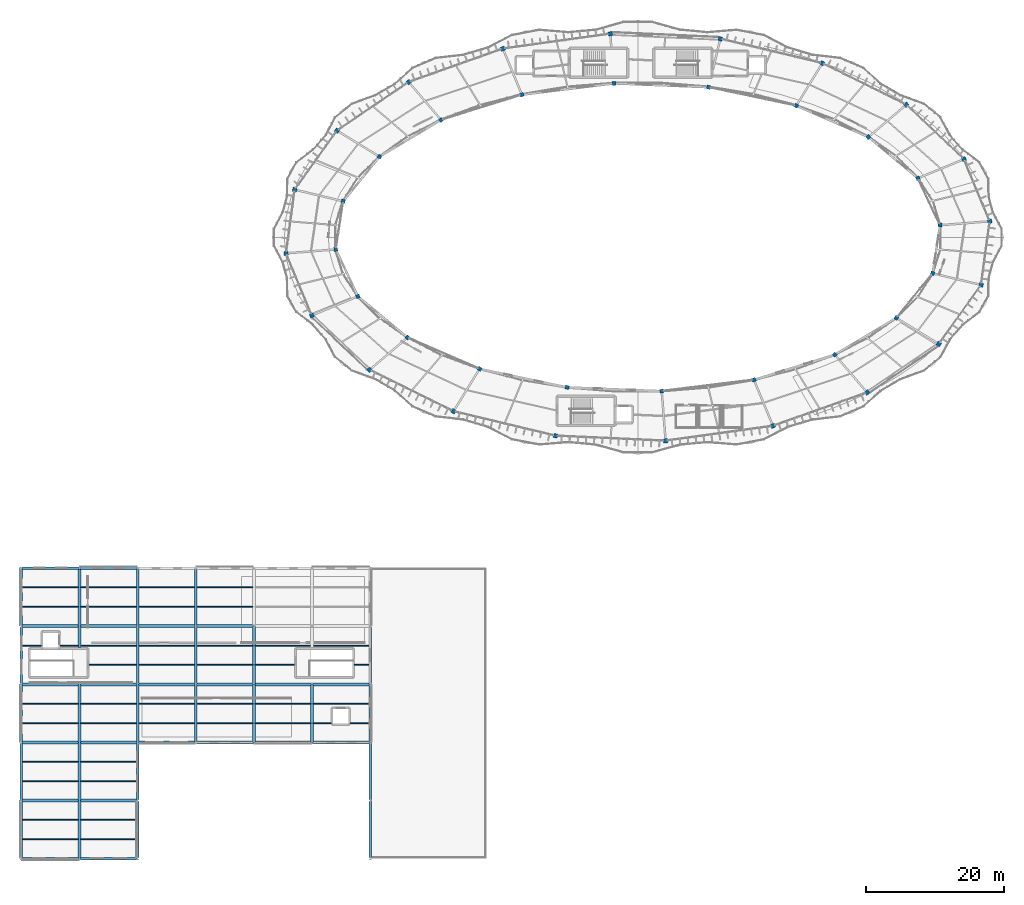
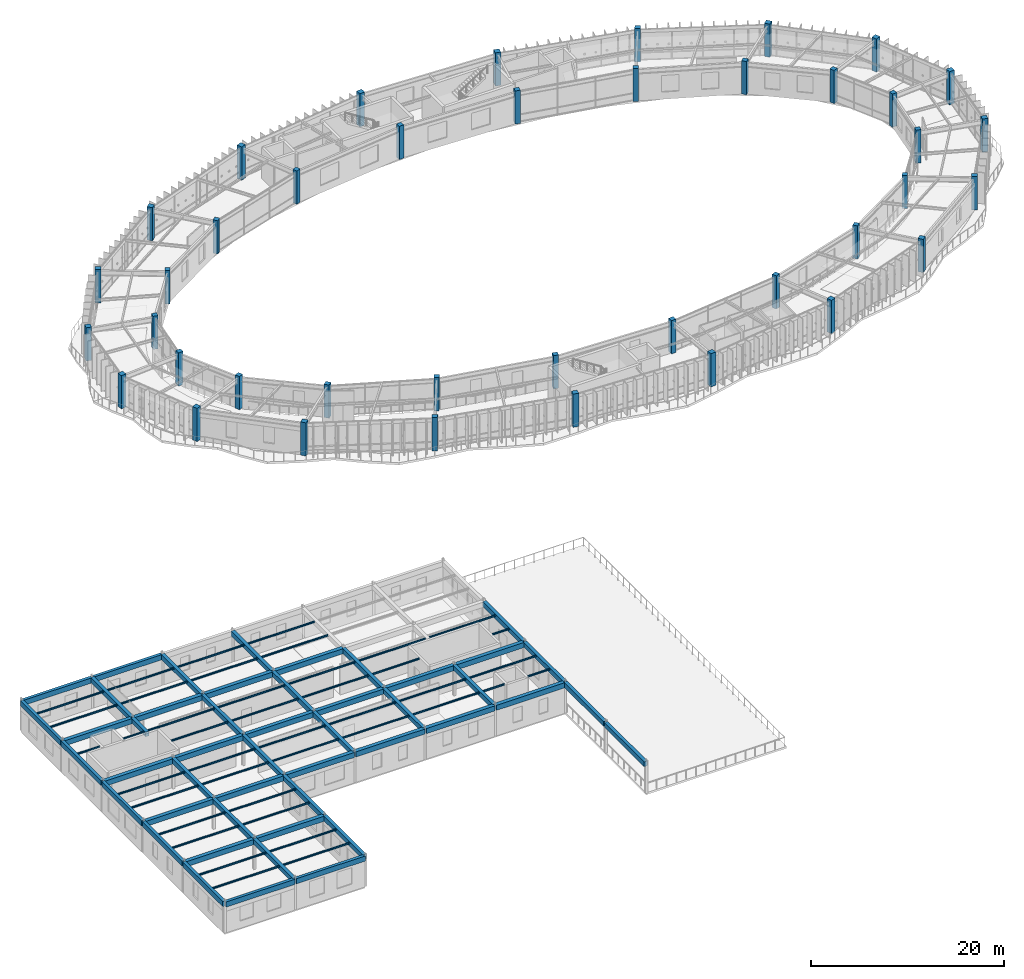
# One storey, part 5 of 83: 88 beams, 40 columns.
"""IFC4 building model written with IfcOpenShell, lengths in metres."""

from ifc_helpers import new_model, si_unit, direction, frame, origin, origin_2d, place, context, subcontext, project, spatial, rectangle, i_section, extrude, material, material_profile, profile_set, type_object, element, save


model = new_model("IFC4")

# Units and contexts
model_context = context("Model", 3, precision=1e-05, world=origin(), true_north=direction((0.0, 1.0)))
body_context = subcontext(model_context, "Body", "Model", "MODEL_VIEW")
ifc_project = project(units=[si_unit("LENGTHUNIT", "METRE"), si_unit("AREAUNIT", "SQUARE_METRE"), si_unit("VOLUMEUNIT", "CUBIC_METRE"), si_unit("PLANEANGLEUNIT", "RADIAN"), si_unit("MASSUNIT", "GRAM", prefix="KILO"), si_unit("THERMODYNAMICTEMPERATUREUNIT", "KELVIN"), si_unit("POWERUNIT", "WATT")], contexts=[model_context])

# Site, building, storey
site_placement = place(None, origin())
site = spatial("IfcSite", under=ifc_project, at=site_placement, CompositionType="ELEMENT")
building_placement = place(site_placement, origin())
building = spatial("IfcBuilding", under=site, at=building_placement, Name="Darbajah Civic Hall", CompositionType="ELEMENT")
storey_placement = place(building_placement, frame((0.0, 0.0, 18.0)))
storey = spatial("IfcBuildingStorey", under=building, at=storey_placement, Name="L04", CompositionType="ELEMENT", Elevation=18.0)

# Columns
ifc_material_1 = material(Name="Concrete C45/55", Category="concrete")
ifc_material_profile_1 = material_profile(ifc_material_1, rectangle(XDim=0.550048828125, YDim=0.550048828125, at=origin_2d()), Name="RC COL 550x550")
ifc_profile_set_1 = profile_set([ifc_material_profile_1], Name="Concrete C45/55")
column_type_1 = type_object("IfcColumnType", Name="RC COL 550x550", PredefinedType="COLUMN", material=ifc_profile_set_1)
for number, where, z_axis, x_axis, name in (
    (1, (132.764892578125, 91.549560546875, 0.0), (0.0, 0.0, 1.0), (0.996917333733, 0.078459095728, 0.0), "L04 column C-RC550"),
    (2, (129.56591796875, 98.333740234375, 0.0), (0.0, 0.0, 1.0), (0.923879532511, 0.382683432365, 0.0), "L04 column C-RC550"),
    (3, (122.40576171875, 104.28271484375, 0.0), (0.0, 0.0, 1.0), (0.7604059656, 0.64944804833, 0.0), "L04 column C-RC550"),
    (4, (111.9853515625, 108.81396484375, 0.0), (0.0, 0.0, 1.0), (0.522498564716, 0.852640164354, 0.0), "L04 column C-RC550"),
    (5, (99.324951171875, 111.48388671875, 0.0), (0.0, 0.0, 1.0), (0.233445363856, 0.972369920398, 0.0), "L04 column C-RC550"),
    (6, (85.66357421875, 112.03125, 0.0), (0.0, 0.0, 1.0), (-0.078459095728, 0.996917333733, 0.0), "L04 column C-RC550"),
    (7, (72.33837890625, 110.402587890625, 0.0), (0.0, 0.0, 1.0), (-0.382683432365, 0.923879532511, 0.0), "L04 column C-RC550"),
    (8, (60.654296875, 106.757080078125, 0.0), (0.0, 0.0, 1.0), (-0.64944804833, 0.7604059656, 0.0), "L04 column C-RC550"),
    (9, (51.75439453125, 101.45166015625, 0.0), (0.0, 0.0, 1.0), (-0.852640164354, 0.522498564716, 0.0), "L04 column C-RC550"),
    (10, (46.51025390625, 95.005859375, 0.0), (0.0, 0.0, 1.0), (-0.972369920398, 0.233445363856, 0.0), "L04 column C-RC550"),
    (11, (45.43505859375, 88.05029296875, 0.0), (0.0, 0.0, 1.0), (-0.996917333733, -0.078459095728, 0.0), "L04 column C-RC550"),
    (12, (48.634033203125, 81.26611328125, 0.0), (0.0, 0.0, 1.0), (-0.923879532511, -0.382683432365, 0.0), "L04 column C-RC550"),
    (13, (55.794189453125, 75.3173828125, 0.0), (0.0, 0.0, 1.0), (-0.7604059656, -0.64944804833, 0.0), "L04 column C-RC550"),
    (14, (66.214599609375, 70.7861328125, 0.0), (0.0, 0.0, 1.0), (-0.522498564716, -0.852640164354, 0.0), "L04 column C-RC550"),
    (15, (78.875, 68.1162109375, 0.0), (0.0, 0.0, 1.0), (-0.233445363856, -0.972369920398, 0.0), "L04 column C-RC550"),
    (16, (92.53662109375, 67.568603515625, 0.0), (0.0, 0.0, 1.0), (0.078459095728, -0.996917333733, 0.0), "L04 column C-RC550"),
    (17, (105.861572265625, 69.197509765625, 0.0), (0.0, 0.0, 1.0), (0.382683432365, -0.923879532511, 0.0), "L04 column C-RC550"),
    (18, (117.5458984375, 72.843017578125, 0.0), (0.0, 0.0, 1.0), (0.64944804833, -0.7604059656, 0.0), "L04 column C-RC550"),
    (19, (126.445556640625, 78.148193359375, 0.0), (0.0, 0.0, 1.0), (0.852640164354, -0.522498564716, 0.0), "L04 column C-RC550"),
    (20, (131.689697265625, 84.59423828125, 0.0), (0.0, 0.0, 1.0), (0.972369920398, -0.233445363856, 0.0), "L04 column C-RC550"),
):
    element("IfcColumn", number, at=place(storey_placement, frame(where, z_axis=z_axis, x_axis=x_axis)), inside=storey, type_object=column_type_1, Name=name, PredefinedType="COLUMN", context=body_context, shape_type="SweptSolid", body=[
        extrude(rectangle(XDim=0.550048828125, YDim=0.550048828125, at=origin_2d()), origin(), (0.0, 0.0, 1.0), 4.199951171875),
    ])
ifc_material_profile_2 = material_profile(ifc_material_1, rectangle(XDim=0.60009765625, YDim=0.60009765625, at=origin_2d()), Name="RC COL 600x600")
ifc_profile_set_2 = profile_set([ifc_material_profile_2], Name="Concrete C45/55")
column_type_2 = type_object("IfcColumnType", Name="RC COL 600x600", PredefinedType="COLUMN", material=ifc_profile_set_2)
for number, where, z_axis, x_axis, name in (
    (21, (139.94287109375, 92.114501953125, 0.0), (0.0, 0.0, 1.0), (0.996917333733, 0.078459095728, 0.0), "L04 column C-RC600"),
    (22, (136.218017578125, 101.089111328125, 0.0), (0.0, 0.0, 1.0), (0.923879532511, 0.382683432365, 0.0), "L04 column C-RC600"),
    (23, (127.880615234375, 108.958740234375, 0.0), (0.0, 0.0, 1.0), (0.7604059656, 0.64944804833, 0.0), "L04 column C-RC600"),
    (24, (115.747314453125, 114.952880859375, 0.0), (0.0, 0.0, 1.0), (0.522498564716, 0.852640164354, 0.0), "L04 column C-RC600"),
    (25, (101.005615234375, 118.48486328125, 0.0), (0.0, 0.0, 1.0), (0.233445363856, 0.972369920398, 0.0), "L04 column C-RC600"),
    (26, (85.0986328125, 119.208984375, 0.0), (0.0, 0.0, 1.0), (-0.078459095728, 0.996917333733, 0.0), "L04 column C-RC600"),
    (27, (69.5830078125, 117.054443359375, 0.0), (0.0, 0.0, 1.0), (-0.382683432365, 0.923879532511, 0.0), "L04 column C-RC600"),
    (28, (55.97802734375, 112.23193359375, 0.0), (0.0, 0.0, 1.0), (-0.64944804833, 0.7604059656, 0.0), "L04 column C-RC600"),
    (29, (45.615478515625, 105.213623046875, 0.0), (0.0, 0.0, 1.0), (-0.852640164354, 0.522498564716, 0.0), "L04 column C-RC600"),
    (30, (39.509033203125, 96.6865234375, 0.0), (0.0, 0.0, 1.0), (-0.972369920398, 0.233445363856, 0.0), "L04 column C-RC600"),
    (31, (38.257080078125, 87.485595703125, 0.0), (0.0, 0.0, 1.0), (-0.996917333733, -0.078459095728, 0.0), "L04 column C-RC600"),
    (32, (41.982177734375, 78.5107421875, 0.0), (0.0, 0.0, 1.0), (-0.923879532511, -0.382683432365, 0.0), "L04 column C-RC600"),
    (33, (50.3193359375, 70.641357421875, 0.0), (0.0, 0.0, 1.0), (-0.7604059656, -0.64944804833, 0.0), "L04 column C-RC600"),
    (34, (62.45263671875, 64.647216796875, 0.0), (0.0, 0.0, 1.0), (-0.522498564716, -0.852640164354, 0.0), "L04 column C-RC600"),
    (35, (77.1943359375, 61.114990234375, 0.0), (0.0, 0.0, 1.0), (-0.233445363856, -0.972369920398, 0.0), "L04 column C-RC600"),
    (36, (93.101318359375, 60.390869140625, 0.0), (0.0, 0.0, 1.0), (0.078459095728, -0.996917333733, 0.0), "L04 column C-RC600"),
    (37, (108.616943359375, 62.545654296875, 0.0), (0.0, 0.0, 1.0), (0.382683432365, -0.923879532511, 0.0), "L04 column C-RC600"),
    (38, (122.221923828125, 67.367919921875, 0.0), (0.0, 0.0, 1.0), (0.64944804833, -0.7604059656, 0.0), "L04 column C-RC600"),
    (39, (132.584716796875, 74.38623046875, 0.0), (0.0, 0.0, 1.0), (0.852640164354, -0.522498564716, 0.0), "L04 column C-RC600"),
    (40, (138.69091796875, 82.913330078125, 0.0), (0.0, 0.0, 1.0), (0.972369920398, -0.233445363856, 0.0), "L04 column C-RC600"),
):
    element("IfcColumn", number, at=place(storey_placement, frame(where, z_axis=z_axis, x_axis=x_axis)), inside=storey, type_object=column_type_2, Name=name, PredefinedType="COLUMN", context=body_context, shape_type="SweptSolid", body=[
        extrude(rectangle(XDim=0.60009765625, YDim=0.60009765625, at=origin_2d()), origin(), (0.0, 0.0, 1.0), 4.199951171875),
    ])

# Beams
ifc_material_profile_3 = material_profile(ifc_material_1, rectangle(XDim=0.39990234375, YDim=0.60009765625, at=origin_2d()), Name="RC BEAM 400x600")
ifc_profile_set_3 = profile_set([ifc_material_profile_3], Name="Concrete C45/55")
beam_type_1 = type_object("IfcBeamType", Name="RC BEAM 400x600", PredefinedType="BEAM", material=ifc_profile_set_3)
for number, where, z_axis, x_axis, name in (
    (41, (8.39990234375, 0.080078125, 3.6201171875), (0.0, 1.0, 0.0), (-1.0, 0.0, 0.0), "L04 beam BM-4060"),
    (42, (8.39990234375, 8.47998046875, 3.6201171875), (0.0, 1.0, 0.0), (-1.0, 0.0, 0.0), "L04 beam BM-4060"),
):
    element("IfcBeam", number, at=place(storey_placement, frame(where, z_axis=z_axis, x_axis=x_axis)), inside=storey, type_object=beam_type_1, Name=name, PredefinedType="BEAM", context=body_context, shape_type="SweptSolid", body=[
        extrude(rectangle(XDim=0.39990234375, YDim=0.60009765625, at=origin_2d()), origin(), (0.0, 0.0, 1.0), 8.239990234375),
    ])
beam_1_placement = place(storey_placement, frame((8.39990234375, 16.8798828125, 3.6201171875), z_axis=(0.0, 1.0, 0.0), x_axis=(-1.0, 0.0, 0.0)))
element("IfcBeam", 43, at=beam_1_placement, inside=storey, type_object=beam_type_1, Name="L04 beam BM-4060", PredefinedType="BEAM", context=body_context, shape_type="SweptSolid", body=[
    extrude(rectangle(XDim=0.39990234375, YDim=0.60009765625, at=origin_2d()), origin(), (0.0, 0.0, 1.0), 8.240234375),
])
beam_2_placement = place(storey_placement, frame((8.39990234375, 30.5400390625, 3.6201171875), z_axis=(0.0, 1.0, 0.0), x_axis=(-1.0, 0.0, 0.0)))
element("IfcBeam", 44, at=beam_2_placement, inside=storey, type_object=beam_type_1, Name="L04 beam BM-4060", PredefinedType="BEAM", context=body_context, shape_type="SweptSolid", body=[
    extrude(rectangle(XDim=0.39990234375, YDim=0.60009765625, at=origin_2d()), origin(), (0.0, 0.0, 1.0), 2.97998046875),
])
for number, where, z_axis, x_axis, name in (
    (45, (8.39990234375, 33.679931640625, 3.6201171875), (0.0, 1.0, 0.0), (-1.0, 0.0, 0.0), "L04 beam BM-4060"),
    (46, (16.800048828125, 0.080078125, 3.6201171875), (0.0, 1.0, 0.0), (-1.0, 0.0, 0.0), "L04 beam BM-4060"),
    (47, (16.800048828125, 8.47998046875, 3.6201171875), (0.0, 1.0, 0.0), (-1.0, 0.0, 0.0), "L04 beam BM-4060"),
):
    element("IfcBeam", number, at=place(storey_placement, frame(where, z_axis=z_axis, x_axis=x_axis)), inside=storey, type_object=beam_type_1, Name=name, PredefinedType="BEAM", context=body_context, shape_type="SweptSolid", body=[
        extrude(rectangle(XDim=0.39990234375, YDim=0.60009765625, at=origin_2d()), origin(), (0.0, 0.0, 1.0), 8.239990234375),
    ])
beam_3_placement = place(storey_placement, frame((16.800048828125, 16.8798828125, 3.6201171875), z_axis=(0.0, 1.0, 0.0), x_axis=(-1.0, 0.0, 0.0)))
element("IfcBeam", 48, at=beam_3_placement, inside=storey, type_object=beam_type_1, Name="L04 beam BM-4060", PredefinedType="BEAM", context=body_context, shape_type="SweptSolid", body=[
    extrude(rectangle(XDim=0.39990234375, YDim=0.60009765625, at=origin_2d()), origin(), (0.0, 0.0, 1.0), 8.240234375),
])
for number, where, z_axis, x_axis, name in (
    (49, (16.800048828125, 25.280029296875, 3.6201171875), (0.0, 1.0, 0.0), (-1.0, 0.0, 0.0), "L04 beam BM-4060"),
    (50, (16.800048828125, 33.679931640625, 3.6201171875), (0.0, 1.0, 0.0), (-1.0, 0.0, 0.0), "L04 beam BM-4060"),
):
    element("IfcBeam", number, at=place(storey_placement, frame(where, z_axis=z_axis, x_axis=x_axis)), inside=storey, type_object=beam_type_1, Name=name, PredefinedType="BEAM", context=body_context, shape_type="SweptSolid", body=[
        extrude(rectangle(XDim=0.39990234375, YDim=0.60009765625, at=origin_2d()), origin(), (0.0, 0.0, 1.0), 8.239990234375),
    ])
beam_4_placement = place(storey_placement, frame((25.199951171875, 16.8798828125, 3.6201171875), z_axis=(0.0, 1.0, 0.0), x_axis=(-1.0, 0.0, 0.0)))
element("IfcBeam", 51, at=beam_4_placement, inside=storey, type_object=beam_type_1, Name="L04 beam BM-4060", PredefinedType="BEAM", context=body_context, shape_type="SweptSolid", body=[
    extrude(rectangle(XDim=0.39990234375, YDim=0.60009765625, at=origin_2d()), origin(), (0.0, 0.0, 1.0), 8.240234375),
])
for number, where, z_axis, x_axis, name in (
    (52, (25.199951171875, 25.280029296875, 3.6201171875), (0.0, 1.0, 0.0), (-1.0, 0.0, 0.0), "L04 beam BM-4060"),
    (53, (25.199951171875, 33.679931640625, 3.6201171875), (0.0, 1.0, 0.0), (-1.0, 0.0, 0.0), "L04 beam BM-4060"),
):
    element("IfcBeam", number, at=place(storey_placement, frame(where, z_axis=z_axis, x_axis=x_axis)), inside=storey, type_object=beam_type_1, Name=name, PredefinedType="BEAM", context=body_context, shape_type="SweptSolid", body=[
        extrude(rectangle(XDim=0.39990234375, YDim=0.60009765625, at=origin_2d()), origin(), (0.0, 0.0, 1.0), 8.239990234375),
    ])
beam_5_placement = place(storey_placement, frame((33.60009765625, 16.8798828125, 3.6201171875), z_axis=(0.0, 1.0, 0.0), x_axis=(-1.0, 0.0, 0.0)))
element("IfcBeam", 54, at=beam_5_placement, inside=storey, type_object=beam_type_1, Name="L04 beam BM-4060", PredefinedType="BEAM", context=body_context, shape_type="SweptSolid", body=[
    extrude(rectangle(XDim=0.39990234375, YDim=0.60009765625, at=origin_2d()), origin(), (0.0, 0.0, 1.0), 8.240234375),
])
beam_6_placement = place(storey_placement, frame((33.60009765625, 25.280029296875, 3.6201171875), z_axis=(0.0, 1.0, 0.0), x_axis=(-1.0, 0.0, 0.0)))
element("IfcBeam", 55, at=beam_6_placement, inside=storey, type_object=beam_type_1, Name="L04 beam BM-4060", PredefinedType="BEAM", context=body_context, shape_type="SweptSolid", body=[
    extrude(rectangle(XDim=0.39990234375, YDim=0.60009765625, at=origin_2d()), origin(), (0.0, 0.0, 1.0), 8.239990234375),
])
beam_7_placement = place(storey_placement, frame((42.0, 16.8798828125, 3.6201171875), z_axis=(0.0, 1.0, 0.0), x_axis=(-1.0, 0.0, 0.0)))
element("IfcBeam", 56, at=beam_7_placement, inside=storey, type_object=beam_type_1, Name="L04 beam BM-4060", PredefinedType="BEAM", context=body_context, shape_type="SweptSolid", body=[
    extrude(rectangle(XDim=0.39990234375, YDim=0.60009765625, at=origin_2d()), origin(), (0.0, 0.0, 1.0), 8.240234375),
])
for number, where, z_axis, x_axis, name in (
    (57, (50.39990234375, 0.080078125, 3.6201171875), (0.0, 1.0, 0.0), (-1.0, 0.0, 0.0), "L04 beam BM-4060"),
    (58, (50.39990234375, 8.47998046875, 3.6201171875), (0.0, 1.0, 0.0), (-1.0, 0.0, 0.0), "L04 beam BM-4060"),
):
    element("IfcBeam", number, at=place(storey_placement, frame(where, z_axis=z_axis, x_axis=x_axis)), inside=storey, type_object=beam_type_1, Name=name, PredefinedType="BEAM", context=body_context, shape_type="SweptSolid", body=[
        extrude(rectangle(XDim=0.39990234375, YDim=0.60009765625, at=origin_2d()), origin(), (0.0, 0.0, 1.0), 8.239990234375),
    ])
beam_8_placement = place(storey_placement, frame((50.39990234375, 16.8798828125, 3.6201171875), z_axis=(0.0, 1.0, 0.0), x_axis=(-1.0, 0.0, 0.0)))
element("IfcBeam", 59, at=beam_8_placement, inside=storey, type_object=beam_type_1, Name="L04 beam BM-4060", PredefinedType="BEAM", context=body_context, shape_type="SweptSolid", body=[
    extrude(rectangle(XDim=0.39990234375, YDim=0.60009765625, at=origin_2d()), origin(), (0.0, 0.0, 1.0), 8.240234375),
])
beam_9_placement = place(storey_placement, frame((50.39990234375, 25.280029296875, 3.6201171875), z_axis=(0.0, 1.0, 0.0), x_axis=(-1.0, 0.0, 0.0)))
element("IfcBeam", 60, at=beam_9_placement, inside=storey, type_object=beam_type_1, Name="L04 beam BM-4060", PredefinedType="BEAM", context=body_context, shape_type="SweptSolid", body=[
    extrude(rectangle(XDim=0.39990234375, YDim=0.60009765625, at=origin_2d()), origin(), (0.0, 0.0, 1.0), 8.239990234375),
])
ifc_material_profile_4 = material_profile(ifc_material_1, rectangle(XDim=0.449951171875, YDim=0.64990234375, at=origin_2d()), Name="RC BEAM 450x650")
ifc_profile_set_4 = profile_set([ifc_material_profile_4], Name="Concrete C45/55")
beam_type_2 = type_object("IfcBeamType", Name="RC BEAM 450x650", PredefinedType="BEAM", material=ifc_profile_set_4)
for number, where, z_axis, x_axis, name in (
    (61, (0.080078125, 8.39990234375, 3.594970703125), (1.0, 0.0, 0.0), (0.0, 1.0, 0.0), "L04 beam BM-4565"),
    (62, (8.47998046875, 8.39990234375, 3.594970703125), (1.0, 0.0, 0.0), (0.0, 1.0, 0.0), "L04 beam BM-4565"),
    (63, (0.080078125, 16.800048828125, 3.594970703125), (1.0, 0.0, 0.0), (0.0, 1.0, 0.0), "L04 beam BM-4565"),
    (64, (8.47998046875, 16.800048828125, 3.594970703125), (1.0, 0.0, 0.0), (0.0, 1.0, 0.0), "L04 beam BM-4565"),
):
    element("IfcBeam", number, at=place(storey_placement, frame(where, z_axis=z_axis, x_axis=x_axis)), inside=storey, type_object=beam_type_2, Name=name, PredefinedType="BEAM", context=body_context, shape_type="SweptSolid", body=[
        extrude(rectangle(XDim=0.449951171875, YDim=0.64990234375, at=origin_2d()), origin(), (0.0, 0.0, 1.0), 8.239990234375),
    ])
beam_10_placement = place(storey_placement, frame((16.8798828125, 16.800048828125, 3.594970703125), z_axis=(1.0, 0.0, 0.0), x_axis=(0.0, 1.0, 0.0)))
element("IfcBeam", 65, at=beam_10_placement, inside=storey, type_object=beam_type_2, Name="L04 beam BM-4565", PredefinedType="BEAM", context=body_context, shape_type="SweptSolid", body=[
    extrude(rectangle(XDim=0.449951171875, YDim=0.64990234375, at=origin_2d()), origin(), (0.0, 0.0, 1.0), 8.240234375),
])
for number, where, z_axis, x_axis, name in (
    (66, (25.280029296875, 16.800048828125, 3.594970703125), (1.0, 0.0, 0.0), (0.0, 1.0, 0.0), "L04 beam BM-4565"),
    (67, (33.679931640625, 16.800048828125, 3.594970703125), (1.0, 0.0, 0.0), (0.0, 1.0, 0.0), "L04 beam BM-4565"),
    (68, (42.080078125, 16.800048828125, 3.594970703125), (1.0, 0.0, 0.0), (0.0, 1.0, 0.0), "L04 beam BM-4565"),
    (69, (0.080078125, 25.199951171875, 3.594970703125), (1.0, 0.0, 0.0), (0.0, 1.0, 0.0), "L04 beam BM-4565"),
    (70, (8.47998046875, 25.199951171875, 3.594970703125), (1.0, 0.0, 0.0), (0.0, 1.0, 0.0), "L04 beam BM-4565"),
):
    element("IfcBeam", number, at=place(storey_placement, frame(where, z_axis=z_axis, x_axis=x_axis)), inside=storey, type_object=beam_type_2, Name=name, PredefinedType="BEAM", context=body_context, shape_type="SweptSolid", body=[
        extrude(rectangle(XDim=0.449951171875, YDim=0.64990234375, at=origin_2d()), origin(), (0.0, 0.0, 1.0), 8.239990234375),
    ])
beam_11_placement = place(storey_placement, frame((16.8798828125, 25.199951171875, 3.594970703125), z_axis=(1.0, 0.0, 0.0), x_axis=(0.0, 1.0, 0.0)))
element("IfcBeam", 71, at=beam_11_placement, inside=storey, type_object=beam_type_2, Name="L04 beam BM-4565", PredefinedType="BEAM", context=body_context, shape_type="SweptSolid", body=[
    extrude(rectangle(XDim=0.449951171875, YDim=0.64990234375, at=origin_2d()), origin(), (0.0, 0.0, 1.0), 8.240234375),
])
for number, where, z_axis, x_axis, name in (
    (72, (25.280029296875, 25.199951171875, 3.594970703125), (1.0, 0.0, 0.0), (0.0, 1.0, 0.0), "L04 beam BM-4565"),
    (73, (33.679931640625, 25.199951171875, 3.594970703125), (1.0, 0.0, 0.0), (0.0, 1.0, 0.0), "L04 beam BM-4565"),
    (74, (42.080078125, 25.199951171875, 3.594970703125), (1.0, 0.0, 0.0), (0.0, 1.0, 0.0), "L04 beam BM-4565"),
    (75, (0.080078125, 33.60009765625, 3.594970703125), (1.0, 0.0, 0.0), (0.0, 1.0, 0.0), "L04 beam BM-4565"),
    (76, (8.47998046875, 33.60009765625, 3.594970703125), (1.0, 0.0, 0.0), (0.0, 1.0, 0.0), "L04 beam BM-4565"),
):
    element("IfcBeam", number, at=place(storey_placement, frame(where, z_axis=z_axis, x_axis=x_axis)), inside=storey, type_object=beam_type_2, Name=name, PredefinedType="BEAM", context=body_context, shape_type="SweptSolid", body=[
        extrude(rectangle(XDim=0.449951171875, YDim=0.64990234375, at=origin_2d()), origin(), (0.0, 0.0, 1.0), 8.239990234375),
    ])
beam_12_placement = place(storey_placement, frame((16.8798828125, 33.60009765625, 3.594970703125), z_axis=(1.0, 0.0, 0.0), x_axis=(0.0, 1.0, 0.0)))
element("IfcBeam", 77, at=beam_12_placement, inside=storey, type_object=beam_type_2, Name="L04 beam BM-4565", PredefinedType="BEAM", context=body_context, shape_type="SweptSolid", body=[
    extrude(rectangle(XDim=0.449951171875, YDim=0.64990234375, at=origin_2d()), origin(), (0.0, 0.0, 1.0), 8.240234375),
])
beam_13_placement = place(storey_placement, frame((25.280029296875, 33.60009765625, 3.594970703125), z_axis=(1.0, 0.0, 0.0), x_axis=(0.0, 1.0, 0.0)))
element("IfcBeam", 78, at=beam_13_placement, inside=storey, type_object=beam_type_2, Name="L04 beam BM-4565", PredefinedType="BEAM", context=body_context, shape_type="SweptSolid", body=[
    extrude(rectangle(XDim=0.449951171875, YDim=0.64990234375, at=origin_2d()), origin(), (0.0, 0.0, 1.0), 8.239990234375),
])
ifc_material_profile_5 = material_profile(ifc_material_1, rectangle(XDim=0.35009765625, YDim=0.64990234375, at=origin_2d()), Name="RC SPANDREL 350x650")
ifc_profile_set_5 = profile_set([ifc_material_profile_5], Name="Concrete C45/55")
beam_type_3 = type_object("IfcBeamType", Name="RC SPANDREL 350x650", PredefinedType="SPANDREL", material=ifc_profile_set_5)
for number, where, z_axis, x_axis, name in (
    (79, (0.080078125, 0.0, 3.594970703125), (1.0, 0.0, 0.0), (0.0, 1.0, 0.0), "L04 beam SP-3565"),
    (80, (8.47998046875, 0.0, 3.594970703125), (1.0, 0.0, 0.0), (0.0, 1.0, 0.0), "L04 beam SP-3565"),
    (81, (0.080078125, 42.0, 3.594970703125), (1.0, 0.0, 0.0), (0.0, 1.0, 0.0), "L04 beam SP-3565"),
    (82, (8.47998046875, 42.0, 3.594970703125), (1.0, 0.0, 0.0), (0.0, 1.0, 0.0), "L04 beam SP-3565"),
    (83, (0.0, 0.080078125, 3.594970703125), (0.0, 1.0, 0.0), (-1.0, 0.0, 0.0), "L04 beam SP-3565"),
    (84, (0.0, 8.47998046875, 3.594970703125), (0.0, 1.0, 0.0), (-1.0, 0.0, 0.0), "L04 beam SP-3565"),
):
    element("IfcBeam", number, at=place(storey_placement, frame(where, z_axis=z_axis, x_axis=x_axis)), inside=storey, type_object=beam_type_3, Name=name, PredefinedType="SPANDREL", context=body_context, shape_type="SweptSolid", body=[
        extrude(rectangle(XDim=0.35009765625, YDim=0.64990234375, at=origin_2d()), origin(), (0.0, 0.0, 1.0), 8.239990234375),
    ])
beam_14_placement = place(storey_placement, frame((0.0, 16.8798828125, 3.594970703125), z_axis=(0.0, 1.0, 0.0), x_axis=(-1.0, 0.0, 0.0)))
element("IfcBeam", 85, at=beam_14_placement, inside=storey, type_object=beam_type_3, Name="L04 beam SP-3565", PredefinedType="SPANDREL", context=body_context, shape_type="SweptSolid", body=[
    extrude(rectangle(XDim=0.35009765625, YDim=0.64990234375, at=origin_2d()), origin(), (0.0, 0.0, 1.0), 8.240234375),
])
for number, where, z_axis, x_axis, name in (
    (86, (0.0, 25.280029296875, 3.594970703125), (0.0, 1.0, 0.0), (-1.0, 0.0, 0.0), "L04 beam SP-3565"),
    (87, (0.0, 33.679931640625, 3.594970703125), (0.0, 1.0, 0.0), (-1.0, 0.0, 0.0), "L04 beam SP-3565"),
):
    element("IfcBeam", number, at=place(storey_placement, frame(where, z_axis=z_axis, x_axis=x_axis)), inside=storey, type_object=beam_type_3, Name=name, PredefinedType="SPANDREL", context=body_context, shape_type="SweptSolid", body=[
        extrude(rectangle(XDim=0.35009765625, YDim=0.64990234375, at=origin_2d()), origin(), (0.0, 0.0, 1.0), 8.239990234375),
    ])
ifc_material_2 = material(Name="Steel S355JR", Category="steel")
ifc_material_profile_6 = material_profile(ifc_material_2, i_section(OverallWidth=0.1337890625, OverallDepth=0.206787109375, WebThickness=0.00634765625, FlangeThickness=0.009521484375, FilletRadius=0.007568359375, at=origin_2d()), Name="UB 203x133x30")
ifc_profile_set_6 = profile_set([ifc_material_profile_6], Name="Steel S355JR")
beam_type_4 = type_object("IfcBeamType", Name="UB 203x133x30", PredefinedType="JOIST", material=ifc_profile_set_6)
for number, where, z_axis, x_axis, name in (
    (88, (0.175048828125, 2.800048828125, 3.816650390625), (1.0, 0.0, 0.0), (0.0, 1.0, 0.0), "L04 beam SJ-203"),
    (89, (0.175048828125, 5.60009765625, 3.816650390625), (1.0, 0.0, 0.0), (0.0, 1.0, 0.0), "L04 beam SJ-203"),
    (90, (0.175048828125, 11.199951171875, 3.816650390625), (1.0, 0.0, 0.0), (0.0, 1.0, 0.0), "L04 beam SJ-203"),
    (91, (0.175048828125, 14.0, 3.816650390625), (1.0, 0.0, 0.0), (0.0, 1.0, 0.0), "L04 beam SJ-203"),
    (92, (0.175048828125, 19.60009765625, 3.816650390625), (1.0, 0.0, 0.0), (0.0, 1.0, 0.0), "L04 beam SJ-203"),
    (93, (0.175048828125, 22.39990234375, 3.816650390625), (1.0, 0.0, 0.0), (0.0, 1.0, 0.0), "L04 beam SJ-203"),
):
    element("IfcBeam", number, at=place(storey_placement, frame(where, z_axis=z_axis, x_axis=x_axis)), inside=storey, type_object=beam_type_4, Name=name, PredefinedType="JOIST", context=body_context, shape_type="SweptSolid", body=[
        extrude(i_section(OverallWidth=0.1337890625, OverallDepth=0.206787109375, WebThickness=0.00634765625, FlangeThickness=0.009521484375, FilletRadius=0.007568359375, at=origin_2d()), origin(), (0.0, 0.0, 1.0), 8.02490234375),
    ])
beam_15_placement = place(storey_placement, frame((0.175048828125, 30.800048828125, 3.816650390625), z_axis=(1.0, 0.0, 0.0), x_axis=(0.0, 1.0, 0.0)))
element("IfcBeam", 94, at=beam_15_placement, inside=storey, type_object=beam_type_4, Name="L04 beam SJ-203", PredefinedType="JOIST", context=body_context, shape_type="SweptSolid", body=[
    extrude(i_section(OverallWidth=0.1337890625, OverallDepth=0.206787109375, WebThickness=0.00634765625, FlangeThickness=0.009521484375, FilletRadius=0.007568359375, at=origin_2d()), origin(), (0.0, 0.0, 1.0), 2.704833984375),
])
beam_16_placement = place(storey_placement, frame((5.6201171875, 30.800048828125, 3.816650390625), z_axis=(1.0, 0.0, 0.0), x_axis=(0.0, 1.0, 0.0)))
element("IfcBeam", 95, at=beam_16_placement, inside=storey, type_object=beam_type_4, Name="L04 beam SJ-203", PredefinedType="JOIST", context=body_context, shape_type="SweptSolid", body=[
    extrude(i_section(OverallWidth=0.1337890625, OverallDepth=0.206787109375, WebThickness=0.00634765625, FlangeThickness=0.009521484375, FilletRadius=0.007568359375, at=origin_2d()), origin(), (0.0, 0.0, 1.0), 2.579833984375),
])
for number, where, z_axis, x_axis, name in (
    (96, (0.175048828125, 36.39990234375, 3.816650390625), (1.0, 0.0, 0.0), (0.0, 1.0, 0.0), "L04 beam SJ-203"),
    (97, (0.175048828125, 39.199951171875, 3.816650390625), (1.0, 0.0, 0.0), (0.0, 1.0, 0.0), "L04 beam SJ-203"),
):
    element("IfcBeam", number, at=place(storey_placement, frame(where, z_axis=z_axis, x_axis=x_axis)), inside=storey, type_object=beam_type_4, Name=name, PredefinedType="JOIST", context=body_context, shape_type="SweptSolid", body=[
        extrude(i_section(OverallWidth=0.1337890625, OverallDepth=0.206787109375, WebThickness=0.00634765625, FlangeThickness=0.009521484375, FilletRadius=0.007568359375, at=origin_2d()), origin(), (0.0, 0.0, 1.0), 8.02490234375),
    ])
for number, where, z_axis, x_axis, name in (
    (98, (8.60009765625, 2.800048828125, 3.816650390625), (1.0, 0.0, 0.0), (0.0, 1.0, 0.0), "L04 beam SJ-203"),
    (99, (8.60009765625, 5.60009765625, 3.816650390625), (1.0, 0.0, 0.0), (0.0, 1.0, 0.0), "L04 beam SJ-203"),
    (100, (8.60009765625, 11.199951171875, 3.816650390625), (1.0, 0.0, 0.0), (0.0, 1.0, 0.0), "L04 beam SJ-203"),
    (101, (8.60009765625, 14.0, 3.816650390625), (1.0, 0.0, 0.0), (0.0, 1.0, 0.0), "L04 beam SJ-203"),
    (102, (8.60009765625, 19.60009765625, 3.816650390625), (1.0, 0.0, 0.0), (0.0, 1.0, 0.0), "L04 beam SJ-203"),
    (103, (8.60009765625, 22.39990234375, 3.816650390625), (1.0, 0.0, 0.0), (0.0, 1.0, 0.0), "L04 beam SJ-203"),
):
    element("IfcBeam", number, at=place(storey_placement, frame(where, z_axis=z_axis, x_axis=x_axis)), inside=storey, type_object=beam_type_4, Name=name, PredefinedType="JOIST", context=body_context, shape_type="SweptSolid", body=[
        extrude(i_section(OverallWidth=0.1337890625, OverallDepth=0.206787109375, WebThickness=0.00634765625, FlangeThickness=0.009521484375, FilletRadius=0.007568359375, at=origin_2d()), origin(), (0.0, 0.0, 1.0), 8.0),
    ])
beam_17_placement = place(storey_placement, frame((9.739990234375, 28.0, 3.816650390625), z_axis=(1.0, 0.0, 0.0), x_axis=(0.0, 1.0, 0.0)))
element("IfcBeam", 104, at=beam_17_placement, inside=storey, type_object=beam_type_4, Name="L04 beam SJ-203", PredefinedType="JOIST", context=body_context, shape_type="SweptSolid", body=[
    extrude(i_section(OverallWidth=0.1337890625, OverallDepth=0.206787109375, WebThickness=0.00634765625, FlangeThickness=0.009521484375, FilletRadius=0.007568359375, at=origin_2d()), origin(), (0.0, 0.0, 1.0), 6.860107421875),
])
for number, where, z_axis, x_axis, name in (
    (105, (8.60009765625, 30.800048828125, 3.816650390625), (1.0, 0.0, 0.0), (0.0, 1.0, 0.0), "L04 beam SJ-203"),
    (106, (8.60009765625, 36.39990234375, 3.816650390625), (1.0, 0.0, 0.0), (0.0, 1.0, 0.0), "L04 beam SJ-203"),
    (107, (8.60009765625, 39.199951171875, 3.816650390625), (1.0, 0.0, 0.0), (0.0, 1.0, 0.0), "L04 beam SJ-203"),
    (108, (17.0, 19.60009765625, 3.816650390625), (1.0, 0.0, 0.0), (0.0, 1.0, 0.0), "L04 beam SJ-203"),
    (109, (17.0, 22.39990234375, 3.816650390625), (1.0, 0.0, 0.0), (0.0, 1.0, 0.0), "L04 beam SJ-203"),
    (110, (17.0, 28.0, 3.816650390625), (1.0, 0.0, 0.0), (0.0, 1.0, 0.0), "L04 beam SJ-203"),
    (111, (17.0, 30.800048828125, 3.816650390625), (1.0, 0.0, 0.0), (0.0, 1.0, 0.0), "L04 beam SJ-203"),
    (112, (17.0, 36.39990234375, 3.816650390625), (1.0, 0.0, 0.0), (0.0, 1.0, 0.0), "L04 beam SJ-203"),
    (113, (17.0, 39.199951171875, 3.816650390625), (1.0, 0.0, 0.0), (0.0, 1.0, 0.0), "L04 beam SJ-203"),
    (114, (25.39990234375, 19.60009765625, 3.816650390625), (1.0, 0.0, 0.0), (0.0, 1.0, 0.0), "L04 beam SJ-203"),
    (115, (25.39990234375, 22.39990234375, 3.816650390625), (1.0, 0.0, 0.0), (0.0, 1.0, 0.0), "L04 beam SJ-203"),
    (116, (25.39990234375, 28.0, 3.816650390625), (1.0, 0.0, 0.0), (0.0, 1.0, 0.0), "L04 beam SJ-203"),
    (117, (25.39990234375, 30.800048828125, 3.816650390625), (1.0, 0.0, 0.0), (0.0, 1.0, 0.0), "L04 beam SJ-203"),
    (118, (25.39990234375, 36.39990234375, 3.816650390625), (1.0, 0.0, 0.0), (0.0, 1.0, 0.0), "L04 beam SJ-203"),
    (119, (25.39990234375, 39.199951171875, 3.816650390625), (1.0, 0.0, 0.0), (0.0, 1.0, 0.0), "L04 beam SJ-203"),
    (120, (33.800048828125, 19.60009765625, 3.816650390625), (1.0, 0.0, 0.0), (0.0, 1.0, 0.0), "L04 beam SJ-203"),
    (121, (33.800048828125, 22.39990234375, 3.816650390625), (1.0, 0.0, 0.0), (0.0, 1.0, 0.0), "L04 beam SJ-203"),
):
    element("IfcBeam", number, at=place(storey_placement, frame(where, z_axis=z_axis, x_axis=x_axis)), inside=storey, type_object=beam_type_4, Name=name, PredefinedType="JOIST", context=body_context, shape_type="SweptSolid", body=[
        extrude(i_section(OverallWidth=0.1337890625, OverallDepth=0.206787109375, WebThickness=0.00634765625, FlangeThickness=0.009521484375, FilletRadius=0.007568359375, at=origin_2d()), origin(), (0.0, 0.0, 1.0), 8.0),
    ])
beam_18_placement = place(storey_placement, frame((33.800048828125, 28.0, 3.816650390625), z_axis=(1.0, 0.0, 0.0), x_axis=(0.0, 1.0, 0.0)))
element("IfcBeam", 122, at=beam_18_placement, inside=storey, type_object=beam_type_4, Name="L04 beam SJ-203", PredefinedType="JOIST", context=body_context, shape_type="SweptSolid", body=[
    extrude(i_section(OverallWidth=0.1337890625, OverallDepth=0.206787109375, WebThickness=0.00634765625, FlangeThickness=0.009521484375, FilletRadius=0.007568359375, at=origin_2d()), origin(), (0.0, 0.0, 1.0), 5.659912109375),
])
beam_19_placement = place(storey_placement, frame((33.800048828125, 30.800048828125, 3.816650390625), z_axis=(1.0, 0.0, 0.0), x_axis=(0.0, 1.0, 0.0)))
element("IfcBeam", 123, at=beam_19_placement, inside=storey, type_object=beam_type_4, Name="L04 beam SJ-203", PredefinedType="JOIST", context=body_context, shape_type="SweptSolid", body=[
    extrude(i_section(OverallWidth=0.1337890625, OverallDepth=0.206787109375, WebThickness=0.00634765625, FlangeThickness=0.009521484375, FilletRadius=0.007568359375, at=origin_2d()), origin(), (0.0, 0.0, 1.0), 8.0),
])
beam_20_placement = place(storey_placement, frame((42.199951171875, 19.60009765625, 3.816650390625), z_axis=(1.0, 0.0, 0.0), x_axis=(0.0, 1.0, 0.0)))
element("IfcBeam", 124, at=beam_20_placement, inside=storey, type_object=beam_type_4, Name="L04 beam SJ-203", PredefinedType="JOIST", context=body_context, shape_type="SweptSolid", body=[
    extrude(i_section(OverallWidth=0.1337890625, OverallDepth=0.206787109375, WebThickness=0.00634765625, FlangeThickness=0.009521484375, FilletRadius=0.007568359375, at=origin_2d()), origin(), (0.0, 0.0, 1.0), 2.580078125),
])
beam_21_placement = place(storey_placement, frame((47.52001953125, 19.60009765625, 3.816650390625), z_axis=(1.0, 0.0, 0.0), x_axis=(0.0, 1.0, 0.0)))
element("IfcBeam", 125, at=beam_21_placement, inside=storey, type_object=beam_type_4, Name="L04 beam SJ-203", PredefinedType="JOIST", context=body_context, shape_type="SweptSolid", body=[
    extrude(i_section(OverallWidth=0.1337890625, OverallDepth=0.206787109375, WebThickness=0.00634765625, FlangeThickness=0.009521484375, FilletRadius=0.007568359375, at=origin_2d()), origin(), (0.0, 0.0, 1.0), 2.679931640625),
])
beam_22_placement = place(storey_placement, frame((42.199951171875, 22.39990234375, 3.816650390625), z_axis=(1.0, 0.0, 0.0), x_axis=(0.0, 1.0, 0.0)))
element("IfcBeam", 126, at=beam_22_placement, inside=storey, type_object=beam_type_4, Name="L04 beam SJ-203", PredefinedType="JOIST", context=body_context, shape_type="SweptSolid", body=[
    extrude(i_section(OverallWidth=0.1337890625, OverallDepth=0.206787109375, WebThickness=0.00634765625, FlangeThickness=0.009521484375, FilletRadius=0.007568359375, at=origin_2d()), origin(), (0.0, 0.0, 1.0), 8.0),
])
beam_23_placement = place(storey_placement, frame((48.139892578125, 28.0, 3.816650390625), z_axis=(1.0, 0.0, 0.0), x_axis=(0.0, 1.0, 0.0)))
element("IfcBeam", 127, at=beam_23_placement, inside=storey, type_object=beam_type_4, Name="L04 beam SJ-203", PredefinedType="JOIST", context=body_context, shape_type="SweptSolid", body=[
    extrude(i_section(OverallWidth=0.1337890625, OverallDepth=0.206787109375, WebThickness=0.00634765625, FlangeThickness=0.009521484375, FilletRadius=0.007568359375, at=origin_2d()), origin(), (0.0, 0.0, 1.0), 2.06005859375),
])
beam_24_placement = place(storey_placement, frame((42.199951171875, 30.800048828125, 3.816650390625), z_axis=(1.0, 0.0, 0.0), x_axis=(0.0, 1.0, 0.0)))
element("IfcBeam", 128, at=beam_24_placement, inside=storey, type_object=beam_type_4, Name="L04 beam SJ-203", PredefinedType="JOIST", context=body_context, shape_type="SweptSolid", body=[
    extrude(i_section(OverallWidth=0.1337890625, OverallDepth=0.206787109375, WebThickness=0.00634765625, FlangeThickness=0.009521484375, FilletRadius=0.007568359375, at=origin_2d()), origin(), (0.0, 0.0, 1.0), 8.0),
])

save(model, "model.ifc")
